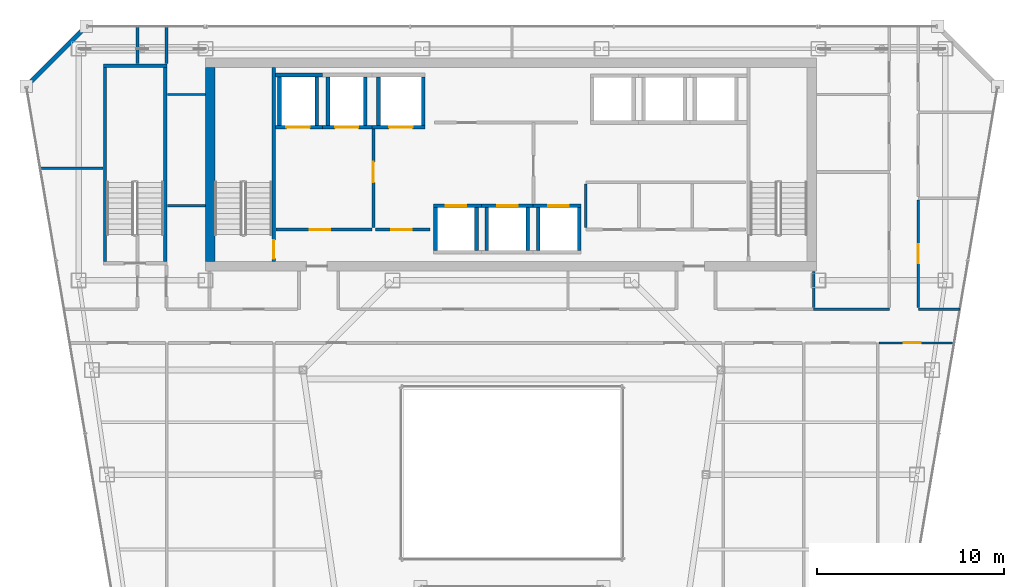
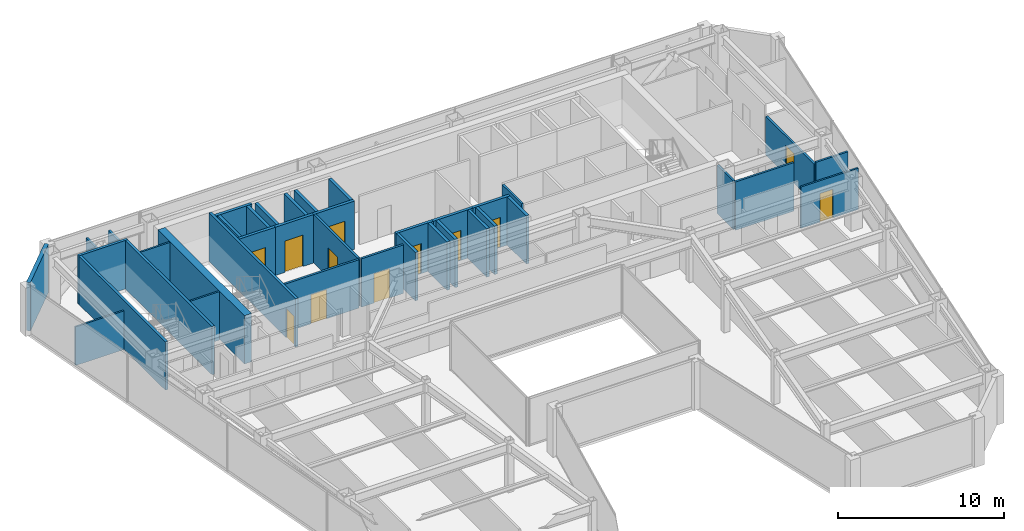
# One storey, part 31 of 36: 39 walls, 12 doors, 12 openings.
"""IFC4 building model written with IfcOpenShell, lengths in metres."""

from ifc_helpers import new_model, si_unit, direction, frame, frame_2d, origin, place, context, subcontext, project, spatial, rectangle, extrude, material, layer, layer_set, type_object, element, fill, save


model = new_model("IFC4")

# Units and contexts
model_context = context("Model", 3, precision=1e-05, world=origin(), true_north=direction((0.0, 1.0)))
body_context = subcontext(model_context, "Body", "Model", "MODEL_VIEW")
ifc_project = project(units=[si_unit("LENGTHUNIT", "METRE"), si_unit("AREAUNIT", "SQUARE_METRE"), si_unit("VOLUMEUNIT", "CUBIC_METRE"), si_unit("PLANEANGLEUNIT", "RADIAN"), si_unit("MASSUNIT", "GRAM", prefix="KILO")], contexts=[model_context])

# Site, building, storey
site_placement = place(None, origin())
site = spatial("IfcSite", under=ifc_project, at=site_placement, CompositionType="ELEMENT")
building_placement = place(site_placement, origin())
building = spatial("IfcBuilding", under=site, at=building_placement, Name="Saevonmaru Cultural Tower", CompositionType="ELEMENT")
storey_placement = place(building_placement, frame((0.0, 0.0, 201.800048828125)))
storey = spatial("IfcBuildingStorey", under=building, at=storey_placement, Name="L46", CompositionType="ELEMENT", Elevation=201.800048828125)

# Wall
ifc_material_1 = material(Name="Concrete C60/75", Category="concrete")
ifc_layer_1 = layer(ifc_material_1, 0.5, Name="Concrete C60/75")
ifc_layer_set_1 = layer_set([ifc_layer_1], Name="Concrete C60/75")
wall_type_1 = type_object("IfcWallType", Name="WL-CORE-500", PredefinedType="SHEAR", material=ifc_layer_set_1)
wall_1_placement = place(storey_placement, frame((13.85009765625, 43.39990234375, 0.0), z_axis=(0.0, 0.0, 1.0), x_axis=(0.0, 1.0, 0.0)))
element("IfcWall", 1, at=wall_1_placement, inside=storey, type_object=wall_type_1, Name="L46 Tower RC core shear wall W", PredefinedType="SHEAR", context=body_context, shape_type="SweptSolid", body=[
    extrude(rectangle(XDim=10.400146484375, YDim=0.5, at=frame_2d((5.2001953125, 0.0))), origin(), (0.0, 0.0, 1.0), 3.550048828125),
])

# Wall, opening, door
ifc_material_2 = material(Name="Gypsum Fireboard Partition", Category="gypsum")
ifc_layer_2 = layer(ifc_material_2, 0.14990234375, Name="Gypsum Fireboard Partition")
ifc_layer_set_2 = layer_set([ifc_layer_2], Name="Gypsum Fireboard Partition")
wall_type_2 = type_object("IfcWallType", Name="WL-CORE-PART-150", PredefinedType="PARTITIONING", material=ifc_layer_set_2)
wall_2_placement = place(storey_placement, frame((17.360107421875, 45.1201171875, 0.0), z_axis=(0.0, 0.0, 1.0), x_axis=(1.0, 0.0, 0.0)))
wall_2 = element("IfcWall", 2, at=wall_2_placement, inside=storey, type_object=wall_type_2, Name="L46 Firefighting Lift Lobby South Wall", PredefinedType="PARTITIONING", context=body_context, shape_type="SweptSolid", body=[
    extrude(rectangle(XDim=5.139892578125, YDim=0.14990234375, at=frame_2d((2.56982421875, 0.0))), origin(), (0.0, 0.0, 1.0), 3.550048828125),
])
opening_1_placement = place(wall_2_placement, frame((1.800048828125, 0.0, 0.0)))
opening_1 = element("IfcOpeningElement", 3, at=opening_1_placement, cuts=wall_2, Name="Opening FD-2", PredefinedType="OPENING", context=body_context, shape_type="SweptSolid", body=[
    extrude(rectangle(XDim=1.10009765625, YDim=2.14990234375, at=frame_2d((0.550048828125, 1.074951171875))), frame((0.0, 0.0849609375, 0.0), z_axis=(0.0, -1.0, 0.0), x_axis=(1.0, 0.0, 0.0)), (0.0, 0.0, 1.0), 0.169921875),
])
ifc_material_3 = material(Name="Satin Bronze Anodised Aluminium", Category="aluminium")
door_type_1 = type_object("IfcDoorType", Name="DR-FD60-1100", OperationType="SINGLE_SWING_LEFT", PredefinedType="DOOR", material=ifc_material_3)
door_1_placement = place(opening_1_placement, origin())
door_1 = element("IfcDoor", 4, at=door_1_placement, inside=storey, type_object=door_type_1, Name="L46 Firefighting Lift Lobby South Door", OperationType="SINGLE_SWING_LEFT", OverallHeight=2.14990234375, OverallWidth=1.10009765625, PredefinedType="DOOR", context=body_context, shape_type="SweptSolid", body=[
    extrude(rectangle(XDim=1.10009765625, YDim=2.14990234375, at=frame_2d((0.550048828125, 1.074951171875))), frame((0.0, 0.02490234375, 0.0), z_axis=(0.0, -1.0, 0.0), x_axis=(1.0, 0.0, 0.0)), (0.0, 0.0, 1.0), 0.050048828125),
])
fill(opening_1, door_1)

wall_3_placement = place(storey_placement, frame((22.580078125, 50.550048828125, 0.0), z_axis=(0.0, 0.0, 1.0), x_axis=(0.0, -1.0, 0.0)))
wall_3 = element("IfcWall", 5, at=wall_3_placement, inside=storey, type_object=wall_type_2, Name="L46 Firefighting Lift Lobby East Wall", PredefinedType="PARTITIONING", context=body_context, shape_type="SweptSolid", body=[
    extrude(rectangle(XDim=5.330078125, YDim=0.14990234375, at=frame_2d((2.6650390625, 0.0))), origin(), (0.0, 0.0, 1.0), 3.550048828125),
])
opening_2_placement = place(wall_3_placement, frame((1.800048828125, 0.0, 0.0)))
opening_2 = element("IfcOpeningElement", 6, at=opening_2_placement, cuts=wall_3, Name="Opening FD-2", PredefinedType="OPENING", context=body_context, shape_type="SweptSolid", body=[
    extrude(rectangle(XDim=1.10009765625, YDim=2.14990234375, at=frame_2d((0.550048828125, 1.074951171875))), frame((0.0, 0.0849609375, 0.0), z_axis=(0.0, -1.0, 0.0), x_axis=(1.0, 0.0, 0.0)), (0.0, 0.0, 1.0), 0.169921875),
])
door_2_placement = place(opening_2_placement, origin())
door_2 = element("IfcDoor", 7, at=door_2_placement, inside=storey, type_object=door_type_1, Name="L46 Firefighting Lift Lobby East Door", OperationType="SINGLE_SWING_LEFT", OverallHeight=2.14990234375, OverallWidth=1.10009765625, PredefinedType="DOOR", context=body_context, shape_type="SweptSolid", body=[
    extrude(rectangle(XDim=1.10009765625, YDim=2.14990234375, at=frame_2d((0.550048828125, 1.074951171875))), frame((0.0, 0.02490234375, 0.0), z_axis=(0.0, -1.0, 0.0), x_axis=(1.0, 0.0, 0.0)), (0.0, 0.0, 1.0), 0.050048828125),
])
fill(opening_2, door_2)

wall_4_placement = place(storey_placement, frame((22.679931640625, 45.1201171875, 0.0), z_axis=(0.0, 0.0, 1.0), x_axis=(1.0, 0.0, 0.0)))
wall_4 = element("IfcWall", 8, at=wall_4_placement, inside=storey, type_object=wall_type_2, Name="L46 Service Lift Vestibule Wall", PredefinedType="PARTITIONING", context=body_context, shape_type="SweptSolid", body=[
    extrude(rectangle(XDim=2.920166015625, YDim=0.14990234375, at=frame_2d((1.4599609375, 0.0))), origin(), (0.0, 0.0, 1.0), 3.550048828125),
])
opening_3_placement = place(wall_4_placement, frame((0.85009765625, 0.0, 0.0)))
opening_3 = element("IfcOpeningElement", 9, at=opening_3_placement, cuts=wall_4, Name="Opening FD-2", PredefinedType="OPENING", context=body_context, shape_type="SweptSolid", body=[
    extrude(rectangle(XDim=1.10009765625, YDim=2.14990234375, at=frame_2d((0.550048828125, 1.074951171875))), frame((0.0, 0.0849609375, 0.0), z_axis=(0.0, -1.0, 0.0), x_axis=(1.0, 0.0, 0.0)), (0.0, 0.0, 1.0), 0.169921875),
])
door_3_placement = place(opening_3_placement, origin())
door_3 = element("IfcDoor", 10, at=door_3_placement, inside=storey, type_object=door_type_1, Name="L46 Service Lift Vestibule Door", OperationType="SINGLE_SWING_LEFT", OverallHeight=2.14990234375, OverallWidth=1.10009765625, PredefinedType="DOOR", context=body_context, shape_type="SweptSolid", body=[
    extrude(rectangle(XDim=1.10009765625, YDim=2.14990234375, at=frame_2d((0.550048828125, 1.074951171875))), frame((0.0, 0.02490234375, 0.0), z_axis=(0.0, -1.0, 0.0), x_axis=(1.0, 0.0, 0.0)), (0.0, 0.0, 1.0), 0.050048828125),
])
fill(opening_3, door_3)

# Walls
wall_5_placement = place(storey_placement, frame((33.949951171875, 45.219970703125, 0.0), z_axis=(0.0, 0.0, 1.0), x_axis=(0.0, 1.0, 0.0)))
element("IfcWall", 11, at=wall_5_placement, inside=storey, type_object=wall_type_2, Name="L46 Core Utility West Wall", PredefinedType="PARTITIONING", context=body_context, shape_type="SweptSolid", body=[
    extrude(rectangle(XDim=2.330078125, YDim=0.14990234375, at=frame_2d((1.1650390625, 0.0))), origin(), (0.0, 0.0, 1.0), 3.550048828125),
])
ifc_material_4 = material(Name="Granite-Clad Precast Concrete C40/50", Category="masonry")
ifc_layer_3 = layer(ifc_material_4, 0.260009765625, Name="Granite-Clad Precast Concrete C40/50")
ifc_layer_set_3 = layer_set([ifc_layer_3], Name="Granite-Clad Precast Concrete C40/50")
wall_type_3 = type_object("IfcWallType", Name="WL-EXT-SPANDREL-260", PredefinedType="STANDARD", material=ifc_layer_set_3)
wall_6_placement = place(storey_placement, frame((7.0869140625, 55.886962890625, 0.0), z_axis=(0.0, 0.0, 1.0), x_axis=(-0.707106781187, -0.707106781187, 0.0)))
element("IfcWall", 12, at=wall_6_placement, inside=storey, type_object=wall_type_3, Name="L46 Chamfer Corner Spandrel Wall E11", PredefinedType="STANDARD", context=body_context, shape_type="SweptSolid", body=[
    extrude(rectangle(XDim=4.205810546875, YDim=0.260009765625, at=frame_2d((2.10302734375, 0.0))), origin(), (0.0, 0.0, 1.0), 3.550048828125),
])
ifc_layer_4 = layer(ifc_material_2, 0.14990234375, Name="Gypsum Fireboard Partition")
ifc_layer_set_4 = layer_set([ifc_layer_4], Name="Gypsum Fireboard Partition")
wall_type_4 = type_object("IfcWallType", Name="WL-PART-FIRE-150", PredefinedType="PARTITIONING", material=ifc_layer_set_4)
for number, where, z_axis, x_axis, name in (
    (13, (11.5, 54.0, 0.0), (0.0, 0.0, 1.0), (0.0, 1.0, 0.0), "L46 Kinetic Art Exhibition Gallery Corridor Wall"),
    (14, (9.949951171875, 54.0, 0.0), (0.0, 0.0, 1.0), (0.0, 1.0, 0.0), "L46 Contemporary Photography Gallery Corridor Wall"),
):
    element("IfcWall", number, at=place(storey_placement, frame(where, z_axis=z_axis, x_axis=x_axis)), inside=storey, type_object=wall_type_4, Name=name, PredefinedType="PARTITIONING", context=body_context, shape_type="SweptSolid", body=[
        extrude(rectangle(XDim=1.9951171875, YDim=0.14990234375, at=frame_2d((0.99755859375, 0.0))), origin(), (0.0, 0.0, 1.0), 2.93505859375),
    ])

# Wall, opening, door
wall_7_placement = place(storey_placement, frame((51.75, 40.9375, 0.0), z_axis=(0.0, 0.0, 1.0), x_axis=(0.0, 1.0, 0.0)))
wall_7 = element("IfcWall", 15, at=wall_7_placement, inside=storey, type_object=wall_type_4, Name="L46 Chamber Rehearsal Auditorium Corridor Wall", PredefinedType="PARTITIONING", context=body_context, shape_type="SweptSolid", body=[
    extrude(rectangle(XDim=5.77490234375, YDim=0.14990234375, at=frame_2d((2.887451171875, 0.0))), origin(), (0.0, 0.0, 1.0), 2.8349609375),
])
opening_4_placement = place(wall_7_placement, frame((2.386962890625, 0.0, 0.0)))
opening_4 = element("IfcOpeningElement", 16, at=opening_4_placement, cuts=wall_7, Name="Opening ID-1B", PredefinedType="OPENING", context=body_context, shape_type="SweptSolid", body=[
    extrude(rectangle(XDim=1.0, YDim=2.14990234375, at=frame_2d((0.5, 1.074951171875))), frame((0.0, 0.0849609375, 0.0), z_axis=(0.0, -1.0, 0.0), x_axis=(1.0, 0.0, 0.0)), (0.0, 0.0, 1.0), 0.169921875),
])
ifc_material_5 = material(Name="Acoustic Stained Oak Timber", Category="wood")
door_type_2 = type_object("IfcDoorType", Name="DR-INT-1000", OperationType="SINGLE_SWING_RIGHT", PredefinedType="DOOR", material=ifc_material_5)
door_4_placement = place(opening_4_placement, origin())
door_4 = element("IfcDoor", 17, at=door_4_placement, inside=storey, type_object=door_type_2, Name="L46 Chamber Rehearsal Auditorium Door", OperationType="SINGLE_SWING_LEFT", OverallHeight=2.14990234375, OverallWidth=1.0, PredefinedType="DOOR", context=body_context, shape_type="SweptSolid", body=[
    extrude(rectangle(XDim=1.0, YDim=2.14990234375, at=frame_2d((0.5, 1.074951171875))), frame((0.0, 0.02490234375, 0.0), z_axis=(0.0, -1.0, 0.0), x_axis=(1.0, 0.0, 0.0)), (0.0, 0.0, 1.0), 0.050048828125),
])
fill(opening_4, door_4)

# Walls
ifc_layer_5 = layer(ifc_material_2, 0.1201171875, Name="Gypsum Fireboard Partition")
ifc_layer_set_5 = layer_set([ifc_layer_5], Name="Gypsum Fireboard Partition")
wall_type_5 = type_object("IfcWallType", Name="WL-PART-GYP-120", PredefinedType="PARTITIONING", material=ifc_layer_set_5)
wall_8_placement = place(storey_placement, frame((11.550048828125, 52.35009765625, 0.0), z_axis=(0.0, 0.0, 1.0), x_axis=(1.0, 0.0, 0.0)))
element("IfcWall", 18, at=wall_8_placement, inside=storey, type_object=wall_type_5, Name="L46 North-West Panorama South Wall", PredefinedType="PARTITIONING", context=body_context, shape_type="SweptSolid", body=[
    extrude(rectangle(XDim=2.030029296875, YDim=0.1201171875, at=frame_2d((1.01513671875, 0.0))), origin(), (0.0, 0.0, 1.0), 3.550048828125),
])
wall_9_placement = place(storey_placement, frame((4.75, 48.39990234375, 0.0), z_axis=(0.0, 0.0, 1.0), x_axis=(1.0, 0.0, 0.0)))
element("IfcWall", 19, at=wall_9_placement, inside=storey, type_object=wall_type_5, Name="L46 NW Studio Divider 1", PredefinedType="PARTITIONING", context=body_context, shape_type="SweptSolid", body=[
    extrude(rectangle(XDim=3.35009765625, YDim=0.1201171875, at=frame_2d((1.675048828125, 0.0))), origin(), (0.0, 0.0, 1.0), 2.8349609375),
])
wall_10_placement = place(storey_placement, frame((11.550048828125, 46.39990234375, 0.0), z_axis=(0.0, 0.0, 1.0), x_axis=(1.0, 0.0, 0.0)))
element("IfcWall", 20, at=wall_10_placement, inside=storey, type_object=wall_type_5, Name="L46 NW Inner Divider", PredefinedType="PARTITIONING", context=body_context, shape_type="SweptSolid", body=[
    extrude(rectangle(XDim=2.030029296875, YDim=0.1201171875, at=frame_2d((1.01513671875, 0.0))), origin(), (0.0, 0.0, 1.0), 3.550048828125),
])

# Wall, opening, door
wall_11_placement = place(storey_placement, frame((49.657470703125, 39.050048828125, 0.0), z_axis=(0.0, 0.0, 1.0), x_axis=(1.0, 0.0, 0.0)))
wall_11 = element("IfcWall", 21, at=wall_11_placement, inside=storey, type_object=wall_type_5, Name="L46 Calligraphy Teaching Studio Corridor Wall", PredefinedType="PARTITIONING", context=body_context, shape_type="SweptSolid", body=[
    extrude(rectangle(XDim=3.994140625, YDim=0.1201171875, at=frame_2d((1.9970703125, 0.0))), origin(), (0.0, 0.0, 1.0), 3.034912109375),
])
opening_5_placement = place(wall_11_placement, frame((1.326904296875, 0.0, 0.0)))
opening_5 = element("IfcOpeningElement", 22, at=opening_5_placement, cuts=wall_11, Name="Opening ID-2", PredefinedType="OPENING", context=body_context, shape_type="SweptSolid", body=[
    extrude(rectangle(XDim=0.89990234375, YDim=2.10009765625, at=frame_2d((0.449951171875, 1.050048828125))), frame((0.0, 0.070068359375, 0.0), z_axis=(0.0, -1.0, 0.0), x_axis=(1.0, 0.0, 0.0)), (0.0, 0.0, 1.0), 0.14013671875),
])
door_type_3 = type_object("IfcDoorType", Name="DR-INT-900", OperationType="SINGLE_SWING_RIGHT", PredefinedType="DOOR", material=ifc_material_5)
door_5_placement = place(opening_5_placement, origin())
door_5 = element("IfcDoor", 23, at=door_5_placement, inside=storey, type_object=door_type_3, Name="L46 Calligraphy Teaching Studio Door", OperationType="SINGLE_SWING_RIGHT", OverallHeight=2.10009765625, OverallWidth=0.89990234375, PredefinedType="DOOR", context=body_context, shape_type="SweptSolid", body=[
    extrude(rectangle(XDim=0.89990234375, YDim=2.10009765625, at=frame_2d((0.449951171875, 1.050048828125))), frame((0.0, 0.02490234375, 0.0), z_axis=(0.0, -1.0, 0.0), x_axis=(1.0, 0.0, 0.0)), (0.0, 0.0, 1.0), 0.050048828125),
])
fill(opening_5, door_5)

# Walls
ifc_layer_6 = layer(ifc_material_2, 0.135009765625, Name="Gypsum Fireboard Partition")
ifc_layer_set_6 = layer_set([ifc_layer_6], Name="Gypsum Fireboard Partition")
wall_type_6 = type_object("IfcWallType", Name="WL-PART-GYP-135", PredefinedType="PARTITIONING", material=ifc_layer_set_6)
wall_12_placement = place(storey_placement, frame((51.75, 40.85009765625, 0.0), z_axis=(0.0, 0.0, 1.0), x_axis=(1.0, 0.0, 0.0)))
element("IfcWall", 24, at=wall_12_placement, inside=storey, type_object=wall_type_6, Name="L46 NE Wing South Wall", PredefinedType="PARTITIONING", context=body_context, shape_type="SweptSolid", body=[
    extrude(rectangle(XDim=2.2216796875, YDim=0.135009765625, at=frame_2d((1.11083984375, 0.0))), origin(), (0.0, 0.0, 1.0), 3.034912109375),
])
ifc_layer_7 = layer(ifc_material_2, 0.139892578125, Name="Gypsum Fireboard Partition")
ifc_layer_set_7 = layer_set([ifc_layer_7], Name="Gypsum Fireboard Partition")
wall_type_7 = type_object("IfcWallType", Name="WL-PART-WET-140", PredefinedType="PARTITIONING", material=ifc_layer_set_7)
wall_13_placement = place(storey_placement, frame((46.14990234375, 40.85009765625, 0.0), z_axis=(0.0, 0.0, 1.0), x_axis=(1.0, 0.0, 0.0)))
element("IfcWall", 25, at=wall_13_placement, inside=storey, type_object=wall_type_7, Name="L46 Washroom South Wall", PredefinedType="PARTITIONING", context=body_context, shape_type="SweptSolid", body=[
    extrude(rectangle(XDim=4.050048828125, YDim=0.139892578125, at=frame_2d((2.02490234375, 0.0))), origin(), (0.0, 0.0, 1.0), 3.550048828125),
])
wall_14_placement = place(storey_placement, frame((46.14990234375, 40.93994140625, 0.0), z_axis=(0.0, 0.0, 1.0), x_axis=(0.0, 1.0, 0.0)))
element("IfcWall", 26, at=wall_14_placement, inside=storey, type_object=wall_type_7, Name="L46 Washroom South-West Return", PredefinedType="PARTITIONING", context=body_context, shape_type="SweptSolid", body=[
    extrude(rectangle(XDim=1.93994140625, YDim=0.139892578125, at=frame_2d((0.969970703125, 0.0))), origin(), (0.0, 0.0, 1.0), 3.550048828125),
])

# Wall, opening, door
ifc_material_6 = material(Name="Concrete C40/50", Category="concrete")
ifc_layer_8 = layer(ifc_material_6, 0.199951171875, Name="Concrete C40/50")
ifc_layer_set_8 = layer_set([ifc_layer_8], Name="Concrete C40/50")
wall_type_8 = type_object("IfcWallType", Name="WL-SHAFT-200", PredefinedType="SHEAR", material=ifc_layer_set_8)
wall_15_placement = place(storey_placement, frame((17.330078125, 50.60009765625, 0.0), z_axis=(0.0, 0.0, 1.0), x_axis=(1.0, 0.0, 0.0)))
wall_15 = element("IfcWall", 27, at=wall_15_placement, inside=storey, type_object=wall_type_8, Name="L46 Lift FFL-1 Hoistway Wall S", PredefinedType="SHEAR", context=body_context, shape_type="SweptSolid", body=[
    extrude(rectangle(XDim=2.52001953125, YDim=0.199951171875, at=frame_2d((1.260009765625, 0.0))), origin(), (0.0, 0.0, 1.0), 3.550048828125),
])
opening_6_placement = place(wall_15_placement, frame((0.594970703125, 0.0, 0.0)))
opening_6 = element("IfcOpeningElement", 28, at=opening_6_placement, cuts=wall_15, Name="Opening LD-2", PredefinedType="OPENING", context=body_context, shape_type="SweptSolid", body=[
    extrude(rectangle(XDim=1.25, YDim=2.300048828125, at=frame_2d((0.625, 1.14990234375))), frame((0.0, 0.10986328125, 0.0), z_axis=(0.0, -1.0, 0.0), x_axis=(1.0, 0.0, 0.0)), (0.0, 0.0, 1.0), 0.219970703125),
])
ifc_material_7 = material(Name="Stainless Steel 316", Category="steel")
door_type_4 = type_object("IfcDoorType", Name="DR-LIFT-1250", OperationType="SLIDING_TO_LEFT", PredefinedType="DOOR", material=ifc_material_7)
door_6_placement = place(opening_6_placement, origin())
door_6 = element("IfcDoor", 29, at=door_6_placement, inside=storey, type_object=door_type_4, Name="L46 Lift FFL-1 Sliding Landing Door", OperationType="SLIDING_TO_LEFT", OverallHeight=2.300048828125, OverallWidth=1.25, PredefinedType="DOOR", context=body_context, shape_type="SweptSolid", body=[
    extrude(rectangle(XDim=1.25, YDim=2.300048828125, at=frame_2d((0.625, 1.14990234375))), frame((0.0, 0.02490234375, 0.0), z_axis=(0.0, -1.0, 0.0), x_axis=(1.0, 0.0, 0.0)), (0.0, 0.0, 1.0), 0.050048828125),
])
fill(opening_6, door_6)

# Walls
wall_16_placement = place(storey_placement, frame((17.330078125, 53.39990234375, 0.0), z_axis=(0.0, 0.0, 1.0), x_axis=(1.0, 0.0, 0.0)))
element("IfcWall", 30, at=wall_16_placement, inside=storey, type_object=wall_type_8, Name="L46 Lift FFL-1 Hoistway Wall N", PredefinedType="SHEAR", context=body_context, shape_type="SweptSolid", body=[
    extrude(rectangle(XDim=2.52001953125, YDim=0.199951171875, at=frame_2d((1.260009765625, 0.0))), origin(), (0.0, 0.0, 1.0), 3.550048828125),
])
for number, where, z_axis, x_axis, name in (
    (31, (17.550048828125, 50.699951171875, 0.0), (0.0, 0.0, 1.0), (0.0, 1.0, 0.0), "L46 Lift FFL-1 Hoistway Wall W"),
    (32, (19.550048828125, 50.699951171875, 0.0), (0.0, 0.0, 1.0), (0.0, 1.0, 0.0), "L46 Lift FFL-1 Hoistway Wall E"),
):
    element("IfcWall", number, at=place(storey_placement, frame(where, z_axis=z_axis, x_axis=x_axis)), inside=storey, type_object=wall_type_8, Name=name, PredefinedType="SHEAR", context=body_context, shape_type="SweptSolid", body=[
        extrude(rectangle(XDim=2.60009765625, YDim=0.199951171875, at=frame_2d((1.300048828125, 0.0))), origin(), (0.0, 0.0, 1.0), 3.550048828125),
    ])

# Wall, opening, door
wall_17_placement = place(storey_placement, frame((19.85009765625, 50.60009765625, 0.0), z_axis=(0.0, 0.0, 1.0), x_axis=(1.0, 0.0, 0.0)))
wall_17 = element("IfcWall", 33, at=wall_17_placement, inside=storey, type_object=wall_type_8, Name="L46 Lift FFL-2 Hoistway Wall S", PredefinedType="SHEAR", context=body_context, shape_type="SweptSolid", body=[
    extrude(rectangle(XDim=2.64990234375, YDim=0.199951171875, at=frame_2d((1.324951171875, 0.0))), origin(), (0.0, 0.0, 1.0), 3.550048828125),
])
opening_7_placement = place(wall_17_placement, frame((0.675048828125, 0.0, 0.0)))
opening_7 = element("IfcOpeningElement", 34, at=opening_7_placement, cuts=wall_17, Name="Opening LD-2", PredefinedType="OPENING", context=body_context, shape_type="SweptSolid", body=[
    extrude(rectangle(XDim=1.25, YDim=2.300048828125, at=frame_2d((0.625, 1.14990234375))), frame((0.0, 0.10986328125, 0.0), z_axis=(0.0, -1.0, 0.0), x_axis=(1.0, 0.0, 0.0)), (0.0, 0.0, 1.0), 0.219970703125),
])
door_7_placement = place(opening_7_placement, origin())
door_7 = element("IfcDoor", 35, at=door_7_placement, inside=storey, type_object=door_type_4, Name="L46 Lift FFL-2 Sliding Landing Door", OperationType="SLIDING_TO_LEFT", OverallHeight=2.300048828125, OverallWidth=1.25, PredefinedType="DOOR", context=body_context, shape_type="SweptSolid", body=[
    extrude(rectangle(XDim=1.25, YDim=2.300048828125, at=frame_2d((0.625, 1.14990234375))), frame((0.0, 0.02490234375, 0.0), z_axis=(0.0, -1.0, 0.0), x_axis=(1.0, 0.0, 0.0)), (0.0, 0.0, 1.0), 0.050048828125),
])
fill(opening_7, door_7)

# Walls
for number, where, z_axis, x_axis, name in (
    (36, (20.14990234375, 50.699951171875, 0.0), (0.0, 0.0, 1.0), (0.0, 1.0, 0.0), "L46 Lift FFL-2 Hoistway Wall W"),
    (37, (22.14990234375, 50.699951171875, 0.0), (0.0, 0.0, 1.0), (0.0, 1.0, 0.0), "L46 Lift FFL-2 Hoistway Wall E"),
):
    element("IfcWall", number, at=place(storey_placement, frame(where, z_axis=z_axis, x_axis=x_axis)), inside=storey, type_object=wall_type_8, Name=name, PredefinedType="SHEAR", context=body_context, shape_type="SweptSolid", body=[
        extrude(rectangle(XDim=2.60009765625, YDim=0.199951171875, at=frame_2d((1.300048828125, 0.0))), origin(), (0.0, 0.0, 1.0), 3.550048828125),
    ])

# Wall, opening, door
wall_18_placement = place(storey_placement, frame((22.5, 50.60009765625, 0.0), z_axis=(0.0, 0.0, 1.0), x_axis=(1.0, 0.0, 0.0)))
wall_18 = element("IfcWall", 38, at=wall_18_placement, inside=storey, type_object=wall_type_8, Name="L46 Lift GL-1 Hoistway Wall S", PredefinedType="SHEAR", context=body_context, shape_type="SweptSolid", body=[
    extrude(rectangle(XDim=2.85009765625, YDim=0.199951171875, at=frame_2d((1.425048828125, 0.0))), origin(), (0.0, 0.0, 1.0), 3.550048828125),
])
opening_8_placement = place(wall_18_placement, frame((0.925048828125, 0.0, 0.0)))
opening_8 = element("IfcOpeningElement", 39, at=opening_8_placement, cuts=wall_18, Name="Opening LD-2", PredefinedType="OPENING", context=body_context, shape_type="SweptSolid", body=[
    extrude(rectangle(XDim=1.25, YDim=2.300048828125, at=frame_2d((0.625, 1.14990234375))), frame((0.0, 0.10986328125, 0.0), z_axis=(0.0, -1.0, 0.0), x_axis=(1.0, 0.0, 0.0)), (0.0, 0.0, 1.0), 0.219970703125),
])
door_8_placement = place(opening_8_placement, origin())
door_8 = element("IfcDoor", 40, at=door_8_placement, inside=storey, type_object=door_type_4, Name="L46 Lift GL-1 Sliding Landing Door", OperationType="SLIDING_TO_LEFT", OverallHeight=2.300048828125, OverallWidth=1.25, PredefinedType="DOOR", context=body_context, shape_type="SweptSolid", body=[
    extrude(rectangle(XDim=1.25, YDim=2.300048828125, at=frame_2d((0.625, 1.14990234375))), frame((0.0, 0.02490234375, 0.0), z_axis=(0.0, -1.0, 0.0), x_axis=(1.0, 0.0, 0.0)), (0.0, 0.0, 1.0), 0.050048828125),
])
fill(opening_8, door_8)

# Walls
for number, where, z_axis, x_axis, name in (
    (41, (22.85009765625, 50.699951171875, 0.0), (0.0, 0.0, 1.0), (0.0, 1.0, 0.0), "L46 Lift GL-1 Hoistway Wall W"),
    (42, (25.25, 50.699951171875, 0.0), (0.0, 0.0, 1.0), (0.0, 1.0, 0.0), "L46 Lift GL-1 Hoistway Wall E"),
):
    element("IfcWall", number, at=place(storey_placement, frame(where, z_axis=z_axis, x_axis=x_axis)), inside=storey, type_object=wall_type_8, Name=name, PredefinedType="SHEAR", context=body_context, shape_type="SweptSolid", body=[
        extrude(rectangle(XDim=2.60009765625, YDim=0.199951171875, at=frame_2d((1.300048828125, 0.0))), origin(), (0.0, 0.0, 1.0), 3.550048828125),
    ])

# Wall, opening, door
wall_19_placement = place(storey_placement, frame((25.800048828125, 46.39990234375, 0.0), z_axis=(0.0, 0.0, 1.0), x_axis=(1.0, 0.0, 0.0)))
wall_19 = element("IfcWall", 43, at=wall_19_placement, inside=storey, type_object=wall_type_8, Name="L46 Lift PL-M1 Hoistway Wall N", PredefinedType="SHEAR", context=body_context, shape_type="SweptSolid", body=[
    extrude(rectangle(XDim=2.574951171875, YDim=0.199951171875, at=frame_2d((1.28759765625, 0.0))), origin(), (0.0, 0.0, 1.0), 3.550048828125),
])
opening_9_placement = place(wall_19_placement, frame((0.64990234375, 0.0, 0.0)))
opening_9 = element("IfcOpeningElement", 44, at=opening_9_placement, cuts=wall_19, Name="Opening LD-1", PredefinedType="OPENING", context=body_context, shape_type="SweptSolid", body=[
    extrude(rectangle(XDim=1.10009765625, YDim=2.199951171875, at=frame_2d((0.550048828125, 1.10009765625))), frame((0.0, 0.10986328125, 0.0), z_axis=(0.0, -1.0, 0.0), x_axis=(1.0, 0.0, 0.0)), (0.0, 0.0, 1.0), 0.219970703125),
])
ifc_material_8 = material(Name="Satin Bronze Stainless Steel", Category="steel")
door_type_5 = type_object("IfcDoorType", Name="DR-LIFT-1100", OperationType="SLIDING_TO_LEFT", PredefinedType="DOOR", material=ifc_material_8)
door_9_placement = place(opening_9_placement, origin())
door_9 = element("IfcDoor", 45, at=door_9_placement, inside=storey, type_object=door_type_5, Name="L46 Lift PL-M1 Sliding Landing Door", OperationType="SLIDING_TO_LEFT", OverallHeight=2.199951171875, OverallWidth=1.10009765625, PredefinedType="DOOR", context=body_context, shape_type="SweptSolid", body=[
    extrude(rectangle(XDim=1.10009765625, YDim=2.199951171875, at=frame_2d((0.550048828125, 1.10009765625))), frame((0.0, 0.02490234375, 0.0), z_axis=(0.0, -1.0, 0.0), x_axis=(1.0, 0.0, 0.0)), (0.0, 0.0, 1.0), 0.050048828125),
])
fill(opening_9, door_9)

# Walls
for number, where, z_axis, x_axis, name in (
    (46, (25.89990234375, 44.0, 0.0), (0.0, 0.0, 1.0), (0.0, 1.0, 0.0), "L46 Lift PL-M1 Hoistway Wall W"),
    (47, (28.10009765625, 44.0, 0.0), (0.0, 0.0, 1.0), (0.0, 1.0, 0.0), "L46 Lift PL-M1 Hoistway Wall E"),
):
    element("IfcWall", number, at=place(storey_placement, frame(where, z_axis=z_axis, x_axis=x_axis)), inside=storey, type_object=wall_type_8, Name=name, PredefinedType="SHEAR", context=body_context, shape_type="SweptSolid", body=[
        extrude(rectangle(XDim=2.300048828125, YDim=0.199951171875, at=frame_2d((1.14990234375, 0.0))), origin(), (0.0, 0.0, 1.0), 3.550048828125),
    ])

# Wall, opening, door
wall_20_placement = place(storey_placement, frame((28.375, 46.39990234375, 0.0), z_axis=(0.0, 0.0, 1.0), x_axis=(1.0, 0.0, 0.0)))
wall_20 = element("IfcWall", 48, at=wall_20_placement, inside=storey, type_object=wall_type_8, Name="L46 Lift PL-M2 Hoistway Wall N", PredefinedType="SHEAR", context=body_context, shape_type="SweptSolid", body=[
    extrude(rectangle(XDim=2.75, YDim=0.199951171875, at=frame_2d((1.375, 0.0))), origin(), (0.0, 0.0, 1.0), 3.550048828125),
])
opening_10_placement = place(wall_20_placement, frame((0.824951171875, 0.0, 0.0)))
opening_10 = element("IfcOpeningElement", 49, at=opening_10_placement, cuts=wall_20, Name="Opening LD-1", PredefinedType="OPENING", context=body_context, shape_type="SweptSolid", body=[
    extrude(rectangle(XDim=1.10009765625, YDim=2.199951171875, at=frame_2d((0.550048828125, 1.10009765625))), frame((0.0, 0.10986328125, 0.0), z_axis=(0.0, -1.0, 0.0), x_axis=(1.0, 0.0, 0.0)), (0.0, 0.0, 1.0), 0.219970703125),
])
door_10_placement = place(opening_10_placement, origin())
door_10 = element("IfcDoor", 50, at=door_10_placement, inside=storey, type_object=door_type_5, Name="L46 Lift PL-M2 Sliding Landing Door", OperationType="SLIDING_TO_LEFT", OverallHeight=2.199951171875, OverallWidth=1.10009765625, PredefinedType="DOOR", context=body_context, shape_type="SweptSolid", body=[
    extrude(rectangle(XDim=1.10009765625, YDim=2.199951171875, at=frame_2d((0.550048828125, 1.10009765625))), frame((0.0, 0.02490234375, 0.0), z_axis=(0.0, -1.0, 0.0), x_axis=(1.0, 0.0, 0.0)), (0.0, 0.0, 1.0), 0.050048828125),
])
fill(opening_10, door_10)

# Walls
for number, where, z_axis, x_axis, name in (
    (51, (28.64990234375, 44.0, 0.0), (0.0, 0.0, 1.0), (0.0, 1.0, 0.0), "L46 Lift PL-M2 Hoistway Wall W"),
    (52, (30.85009765625, 44.0, 0.0), (0.0, 0.0, 1.0), (0.0, 1.0, 0.0), "L46 Lift PL-M2 Hoistway Wall E"),
):
    element("IfcWall", number, at=place(storey_placement, frame(where, z_axis=z_axis, x_axis=x_axis)), inside=storey, type_object=wall_type_8, Name=name, PredefinedType="SHEAR", context=body_context, shape_type="SweptSolid", body=[
        extrude(rectangle(XDim=2.300048828125, YDim=0.199951171875, at=frame_2d((1.14990234375, 0.0))), origin(), (0.0, 0.0, 1.0), 3.550048828125),
    ])

# Wall, opening, door
wall_21_placement = place(storey_placement, frame((31.125, 46.39990234375, 0.0), z_axis=(0.0, 0.0, 1.0), x_axis=(1.0, 0.0, 0.0)))
wall_21 = element("IfcWall", 53, at=wall_21_placement, inside=storey, type_object=wall_type_8, Name="L46 Lift PL-M3 Hoistway Wall N", PredefinedType="SHEAR", context=body_context, shape_type="SweptSolid", body=[
    extrude(rectangle(XDim=2.574951171875, YDim=0.199951171875, at=frame_2d((1.28759765625, 0.0))), origin(), (0.0, 0.0, 1.0), 3.550048828125),
])
opening_11_placement = place(wall_21_placement, frame((0.824951171875, 0.0, 0.0)))
opening_11 = element("IfcOpeningElement", 54, at=opening_11_placement, cuts=wall_21, Name="Opening LD-1", PredefinedType="OPENING", context=body_context, shape_type="SweptSolid", body=[
    extrude(rectangle(XDim=1.10009765625, YDim=2.199951171875, at=frame_2d((0.550048828125, 1.10009765625))), frame((0.0, 0.10986328125, 0.0), z_axis=(0.0, -1.0, 0.0), x_axis=(1.0, 0.0, 0.0)), (0.0, 0.0, 1.0), 0.219970703125),
])
door_11_placement = place(opening_11_placement, origin())
door_11 = element("IfcDoor", 55, at=door_11_placement, inside=storey, type_object=door_type_5, Name="L46 Lift PL-M3 Sliding Landing Door", OperationType="SLIDING_TO_LEFT", OverallHeight=2.199951171875, OverallWidth=1.10009765625, PredefinedType="DOOR", context=body_context, shape_type="SweptSolid", body=[
    extrude(rectangle(XDim=1.10009765625, YDim=2.199951171875, at=frame_2d((0.550048828125, 1.10009765625))), frame((0.0, 0.02490234375, 0.0), z_axis=(0.0, -1.0, 0.0), x_axis=(1.0, 0.0, 0.0)), (0.0, 0.0, 1.0), 0.050048828125),
])
fill(opening_11, door_11)

# Walls
for number, where, z_axis, x_axis, name in (
    (56, (31.39990234375, 44.0, 0.0), (0.0, 0.0, 1.0), (0.0, 1.0, 0.0), "L46 Lift PL-M3 Hoistway Wall W"),
    (57, (33.60009765625, 44.0, 0.0), (0.0, 0.0, 1.0), (0.0, 1.0, 0.0), "L46 Lift PL-M3 Hoistway Wall E"),
):
    element("IfcWall", number, at=place(storey_placement, frame(where, z_axis=z_axis, x_axis=x_axis)), inside=storey, type_object=wall_type_8, Name=name, PredefinedType="SHEAR", context=body_context, shape_type="SweptSolid", body=[
        extrude(rectangle(XDim=2.300048828125, YDim=0.199951171875, at=frame_2d((1.14990234375, 0.0))), origin(), (0.0, 0.0, 1.0), 3.550048828125),
    ])

# Wall, opening, door
ifc_layer_9 = layer(ifc_material_6, 0.179931640625, Name="Concrete C40/50")
ifc_layer_set_9 = layer_set([ifc_layer_9], Name="Concrete C40/50")
wall_type_9 = type_object("IfcWallType", Name="WL-STSHAFT-180", PredefinedType="SHEAR", material=ifc_layer_set_9)
wall_22_placement = place(storey_placement, frame((17.239990234375, 43.39990234375, 0.0), z_axis=(0.0, 0.0, 1.0), x_axis=(0.0, 1.0, 0.0)))
wall_22 = element("IfcWall", 58, at=wall_22_placement, inside=storey, type_object=wall_type_9, Name="L46 Stair ST-1 Structural Shaft Wall 1", PredefinedType="SHEAR", context=body_context, shape_type="SweptSolid", body=[
    extrude(rectangle(XDim=10.400146484375, YDim=0.179931640625, at=frame_2d((5.2001953125, 0.0))), origin(), (0.0, 0.0, 1.0), 3.550048828125),
])
opening_12_placement = place(wall_22_placement, frame((0.159912109375, 0.0, 0.0)))
opening_12 = element("IfcOpeningElement", 59, at=opening_12_placement, cuts=wall_22, Name="Opening FD-3", PredefinedType="OPENING", context=body_context, shape_type="SweptSolid", body=[
    extrude(rectangle(XDim=1.0, YDim=2.14990234375, at=frame_2d((0.5, 1.074951171875))), frame((0.0, 0.10009765625, 0.0), z_axis=(0.0, -1.0, 0.0), x_axis=(1.0, 0.0, 0.0)), (0.0, 0.0, 1.0), 0.199951171875),
])
door_type_6 = type_object("IfcDoorType", Name="DR-FD60-1000", OperationType="SINGLE_SWING_RIGHT", PredefinedType="DOOR", material=ifc_material_3)
door_12_placement = place(opening_12_placement, origin())
door_12 = element("IfcDoor", 60, at=door_12_placement, inside=storey, type_object=door_type_6, Name="L46 Protected Stair ST-1 Fire Door", OperationType="SINGLE_SWING_RIGHT", OverallHeight=2.14990234375, OverallWidth=1.0, PredefinedType="DOOR", context=body_context, shape_type="SweptSolid", body=[
    extrude(rectangle(XDim=1.0, YDim=2.14990234375, at=frame_2d((0.5, 1.074951171875))), frame((0.0, 0.02490234375, 0.0), z_axis=(0.0, -1.0, 0.0), x_axis=(1.0, 0.0, 0.0)), (0.0, 0.0, 1.0), 0.050048828125),
])
fill(opening_12, door_12)

# Walls
wall_23_placement = place(storey_placement, frame((11.43994140625, 43.39990234375, 0.0), z_axis=(0.0, 0.0, 1.0), x_axis=(0.0, 1.0, 0.0)))
element("IfcWall", 61, at=wall_23_placement, inside=storey, type_object=wall_type_9, Name="L46 Stair ST-3 Structural Shaft Wall 2", PredefinedType="SHEAR", context=body_context, shape_type="SweptSolid", body=[
    extrude(rectangle(XDim=10.400146484375, YDim=0.179931640625, at=frame_2d((5.2001953125, 0.0))), origin(), (0.0, 0.0, 1.0), 3.550048828125),
])
wall_24_placement = place(storey_placement, frame((11.530029296875, 53.889892578125, 0.0), z_axis=(0.0, 0.0, 1.0), x_axis=(-1.0, 0.0, 0.0)))
element("IfcWall", 62, at=wall_24_placement, inside=storey, type_object=wall_type_9, Name="L46 Stair ST-3 Structural Shaft Wall 3", PredefinedType="SHEAR", context=body_context, shape_type="SweptSolid", body=[
    extrude(rectangle(XDim=3.409912109375, YDim=0.179931640625, at=frame_2d((1.705078125, 0.0))), origin(), (0.0, 0.0, 1.0), 3.550048828125),
])
wall_25_placement = place(storey_placement, frame((8.2099609375, 53.800048828125, 0.0), z_axis=(0.0, 0.0, 1.0), x_axis=(0.0, -1.0, 0.0)))
element("IfcWall", 63, at=wall_25_placement, inside=storey, type_object=wall_type_9, Name="L46 Stair ST-3 Structural Shaft Wall 4", PredefinedType="SHEAR", context=body_context, shape_type="SweptSolid", body=[
    extrude(rectangle(XDim=10.400146484375, YDim=0.179931640625, at=frame_2d((5.2001953125, 0.0))), origin(), (0.0, 0.0, 1.0), 3.550048828125),
])

save(model, "model.ifc")
